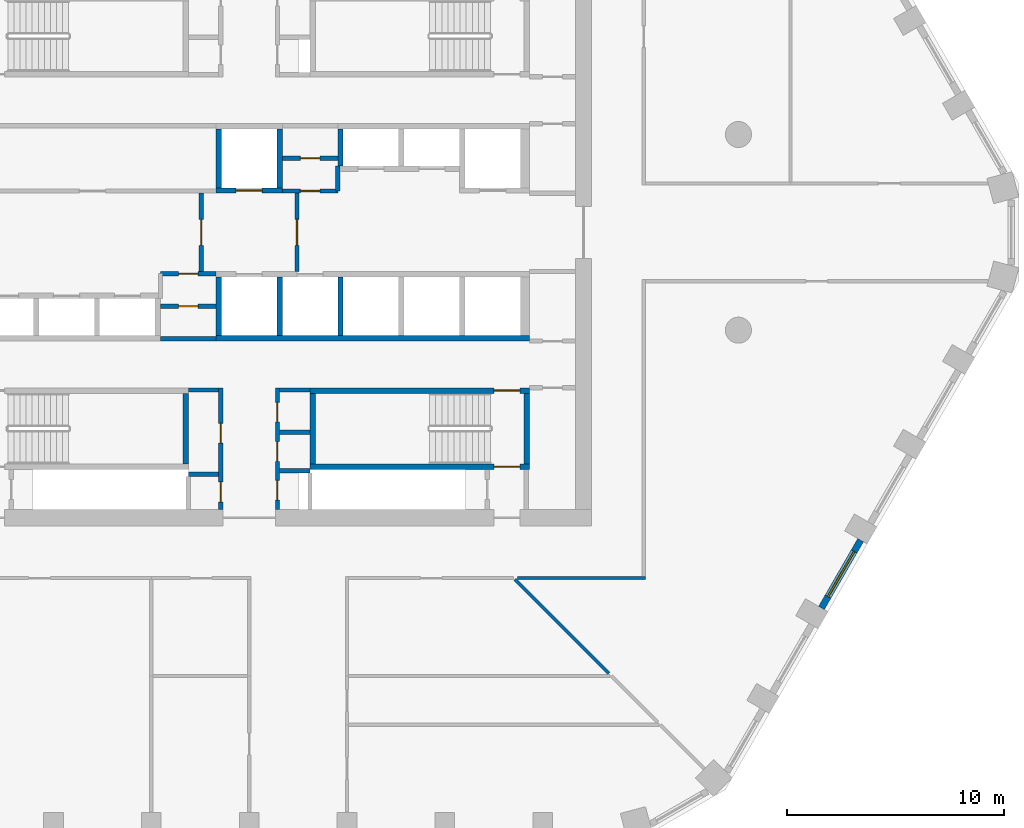
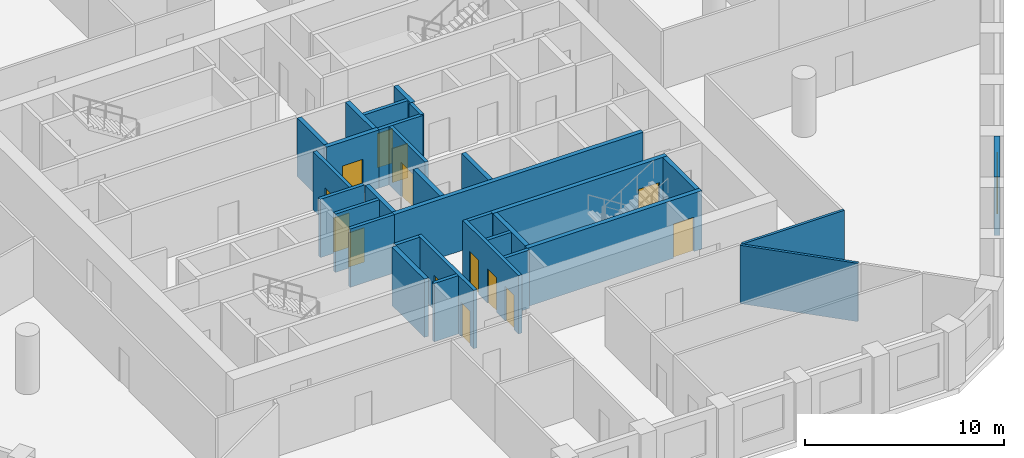
# One storey, part 4 of 9: 31 walls, 14 doors, 1 window, 15 openings.
"""IFC4 building model written with IfcOpenShell, lengths in metres."""

import ifcopenshell
import ifcopenshell.guid

model = None  # the IFC model being written
_history = None  # IfcOwnerHistory: only IFC2X3 demands one
_inside = {}  # id of a spatial element -> (the spatial element, [elements in it])
_under = {}  # id of a project, library or spatial element -> (it, [spatial elements below it])
_declared = {}  # id of a project -> (the project, [libraries it declares])
_typed = {}  # id of a type object -> (the type object, [elements of that type])
_made_of = {}  # id of a material, layer set ... -> (it, [elements and type objects made of it])


def new_model(schema):
    """Start an empty IFC model of exactly this schema.

    Asked for "IFC4X3", IfcOpenShell would pick the latest addendum, in which some entities
    have other attributes; the version numbers below select the first issue.
    IFC2X3 requires an IfcOwnerHistory on every rooted entity: one is made here for all.
    """
    global model, _history
    if schema == "IFC4X3":
        model = ifcopenshell.file(schema_version=(4, 3, 0, 0))
    else:
        model = ifcopenshell.file(schema=schema)
    _inside.clear()
    _under.clear()
    _declared.clear()
    _typed.clear()
    _made_of.clear()
    _history = None
    if model.schema == "IFC2X3":
        org = make("IfcOrganization", Name="unknown")
        user = make(
            "IfcPersonAndOrganization",
            ThePerson=make("IfcPerson", FamilyName="unknown"),
            TheOrganization=org,
        )
        app = make(
            "IfcApplication",
            ApplicationDeveloper=org,
            Version="unknown",
            ApplicationFullName="unknown",
            ApplicationIdentifier="unknown",
        )
        _history = make(
            "IfcOwnerHistory",
            OwningUser=user,
            OwningApplication=app,
            ChangeAction="ADDED",
            CreationDate=0,
        )
    return model


def make(cls, **values):
    """One entity of the class cls with the attributes given. An attribute that is None is left unset."""
    return model.create_entity(
        cls, **{name: value for name, value in values.items() if value is not None}
    )


def rooted(cls, **values):
    """An entity with a GlobalId (a new one), such as an element, a storey or a relation."""
    return make(cls, GlobalId=ifcopenshell.guid.new(), OwnerHistory=_history, **values)


def si_unit(unit_type, name, prefix=None):
    """IfcSIUnit, for example si_unit("LENGTHUNIT", "METRE", prefix="MILLI")."""
    return make("IfcSIUnit", UnitType=unit_type, Prefix=prefix, Name=name)


def assignment(units):
    """IfcUnitAssignment: the units of a project."""
    return None if units is None else make("IfcUnitAssignment", Units=units)


def point(xyz):
    """IfcCartesianPoint."""
    return None if xyz is None else make("IfcCartesianPoint", Coordinates=xyz)


def direction(xyz):
    """IfcDirection."""
    return None if xyz is None else make("IfcDirection", DirectionRatios=xyz)


def frame(location, z_axis=None, x_axis=None):
    """IfcAxis2Placement3D, a coordinate frame: its origin and axes. An axis left out is left unset."""
    return make(
        "IfcAxis2Placement3D",
        Location=point(location),
        Axis=direction(z_axis),
        RefDirection=direction(x_axis),
    )


def frame_2d(location, x_axis=None):
    """IfcAxis2Placement2D, a coordinate frame in the plane: its origin and x axis."""
    return make(
        "IfcAxis2Placement2D", Location=point(location), RefDirection=direction(x_axis)
    )


def origin():
    """The frame at (0, 0, 0) with its axes left unset."""
    return frame((0.0, 0.0, 0.0))


def place(relative_to, where):
    """IfcLocalPlacement: puts the frame where relative to a parent placement (None: the world)."""
    return make(
        "IfcLocalPlacement", PlacementRelTo=relative_to, RelativePlacement=where
    )


def context(
    kind, dimensions, precision=None, world=None, true_north=None, identifier=None
):
    """IfcGeometricRepresentationContext, for example the 3D "Model" context."""
    return make(
        "IfcGeometricRepresentationContext",
        ContextIdentifier=identifier,
        ContextType=kind,
        CoordinateSpaceDimension=dimensions,
        Precision=precision,
        WorldCoordinateSystem=world,
        TrueNorth=true_north,
    )


def subcontext(parent, identifier, kind, view, scale=None):
    """IfcGeometricRepresentationSubContext, for example "Body" below "Model"."""
    return make(
        "IfcGeometricRepresentationSubContext",
        ContextIdentifier=identifier,
        ContextType=kind,
        ParentContext=parent,
        TargetScale=scale,
        TargetView=view,
    )


def project(units=None, contexts=None):
    """IfcProject with its units and contexts."""
    return rooted(
        "IfcProject",
        Name="project",
        RepresentationContexts=contexts,
        UnitsInContext=assignment(units),
    )


def spatial(cls, under=None, at=None, **own):
    """A site, building, storey or space (cls), placed at a placement, below another one or the project."""
    s = rooted(cls, ObjectPlacement=at, **own)
    if under is not None:
        _under.setdefault(under.id(), (under, []))[1].append(s)
    return s


def polyline(points):
    """IfcPolyline through the points."""
    return make("IfcPolyline", Points=[point(p) for p in points])


def profile(cls, at=None, kind="AREA", **sizes):
    """A parametric profile (cls). Its sizes go by their IFC names, for example OverallWidth=200.0."""
    return make(cls, ProfileType=kind, Position=at, **sizes)


def rectangle(**sizes):
    """IfcRectangleProfileDef."""
    return profile("IfcRectangleProfileDef", **sizes)


def outline(outer, holes=None, kind="AREA"):
    """IfcArbitraryClosedProfileDef: a profile drawn as a closed curve; with holes, ...WithVoids."""
    if holes is None:
        return make("IfcArbitraryClosedProfileDef", ProfileType=kind, OuterCurve=outer)
    return make(
        "IfcArbitraryProfileDefWithVoids",
        ProfileType=kind,
        OuterCurve=outer,
        InnerCurves=holes,
    )


def extrude(swept, where, along, depth):
    """IfcExtrudedAreaSolid: the profile swept, set in the frame where, extruded along a direction by depth."""
    return make(
        "IfcExtrudedAreaSolid",
        SweptArea=swept,
        Position=where,
        ExtrudedDirection=direction(along),
        Depth=depth,
    )


def shape(context_of_items, identifier, shape_type, items):
    """IfcShapeRepresentation: the items that make up one representation, for example the "Body"."""
    return make(
        "IfcShapeRepresentation",
        ContextOfItems=context_of_items,
        RepresentationIdentifier=identifier,
        RepresentationType=shape_type,
        Items=items,
    )


def material(Name=None, Category=None):
    """IfcMaterial."""
    return make("IfcMaterial", Name=Name, Category=Category)


def layer(
    of_material, thickness, ventilated=None, Name=None, Category=None, Priority=None
):
    """IfcMaterialLayer: one layer of a wall or slab, of a material (None: an air gap)."""
    return make(
        "IfcMaterialLayer",
        Material=of_material,
        LayerThickness=thickness,
        IsVentilated=ventilated,
        Name=Name,
        Category=Category,
        Priority=Priority,
    )


def layer_set(layers, Name=None):
    """IfcMaterialLayerSet."""
    return make("IfcMaterialLayerSet", MaterialLayers=layers, LayerSetName=Name)


def made_of(thing, what):
    """Note that an element or type object is made of a material, layer set ...; save() writes the relation."""
    if what is not None:
        _made_of.setdefault(what.id(), (what, []))[1].append(thing)
    return thing


def type_object(cls, material=None, **own):
    """A type object (cls), such as IfcWallType, which elements share."""
    return made_of(rooted(cls, **own), material)


def element(
    cls,
    number,
    at=None,
    inside=None,
    cuts=None,
    type_object=None,
    material=None,
    context=None,
    identifier="Body",
    shape_type=None,
    held_by="IfcProductDefinitionShape",
    body=None,
    shapes=None,
    **own,
):
    """One element of the class cls, such as IfcWall. Its Tag is "e" and its number.

    at: its placement. inside: the storey or other place that contains it. cuts: it is an
    opening in that element (IfcRelVoidsElement). A single representation is given by context,
    identifier, shape_type and body (its items); several are given by shapes. held_by: the class
    of the entity that holds the representations. save() writes the other relations.
    """
    e = rooted(cls, Tag="e%d" % number, ObjectPlacement=at, **own)
    if body is not None:
        shapes = [shape(context, identifier, shape_type, body)]
    if shapes is not None:
        e.Representation = make(held_by, Representations=shapes)
    if inside is not None:
        _inside.setdefault(inside.id(), (inside, []))[1].append(e)
    if cuts is not None:
        rooted(
            "IfcRelVoidsElement", RelatingBuildingElement=cuts, RelatedOpeningElement=e
        )
    if type_object is not None:
        _typed.setdefault(type_object.id(), (type_object, []))[1].append(e)
    return made_of(e, material)


def fill(opening, filler):
    """IfcRelFillsElement: the door or window that sits in an opening."""
    return rooted(
        "IfcRelFillsElement",
        RelatingOpeningElement=opening,
        RelatedBuildingElement=filler,
    )


def aggregate(whole, parts):
    """IfcRelAggregates: a whole, such as a stair, and the parts it consists of."""
    return rooted("IfcRelAggregates", RelatingObject=whole, RelatedObjects=parts)


def save(model, path):
    """Write the relations noted so far, then the file.

    IfcRelAggregates (storeys below a building ...), IfcRelContainedInSpatialStructure (elements
    in a storey), IfcRelDefinesByType, IfcRelAssociatesMaterial and IfcRelDeclares: one each for
    every whole, place, type object, material and project.
    """
    for whole, parts in _under.values():
        aggregate(whole, parts)
    for where, things in _inside.values():
        rooted(
            "IfcRelContainedInSpatialStructure",
            RelatedElements=things,
            RelatingStructure=where,
        )
    for kind, things in _typed.values():
        rooted("IfcRelDefinesByType", RelatedObjects=things, RelatingType=kind)
    for what, things in _made_of.values():
        rooted("IfcRelAssociatesMaterial", RelatedObjects=things, RelatingMaterial=what)
    for by, libraries in _declared.values():
        rooted("IfcRelDeclares", RelatingContext=by, RelatedDefinitions=libraries)
    model.write(path)


model = new_model("IFC4")

# Units and contexts
model_context = context("Model", 3, precision=1e-05, world=origin(), true_north=direction((0.0, 1.0)))
body_context = subcontext(model_context, "Body", "Model", "MODEL_VIEW")
ifc_project = project(units=[si_unit("LENGTHUNIT", "METRE"), si_unit("AREAUNIT", "SQUARE_METRE"), si_unit("VOLUMEUNIT", "CUBIC_METRE"), si_unit("PLANEANGLEUNIT", "RADIAN"), si_unit("MASSUNIT", "GRAM", prefix="KILO")], contexts=[model_context])

# Site, building, storey
site_placement = place(None, origin())
site = spatial("IfcSite", under=ifc_project, at=site_placement, CompositionType="ELEMENT")
building_placement = place(site_placement, origin())
building = spatial("IfcBuilding", under=site, at=building_placement, Name="Dhurran Vertical Campus", CompositionType="ELEMENT")
storey_placement = place(building_placement, frame((0.0, 0.0, 171.60009765625)))
storey = spatial("IfcBuildingStorey", under=building, at=storey_placement, Name="L42", CompositionType="ELEMENT", Elevation=171.60009765625)

# Wall, opening, window
ifc_material_1 = material(Name="Precast concrete C50/60", Category="concrete")
ifc_layer_1 = layer(ifc_material_1, 0.300048828125)
ifc_layer_set_1 = layer_set([ifc_layer_1], Name="Precast concrete C50/60")
wall_type_1 = type_object("IfcWallType", Name="Precast spandrel wall 300", PredefinedType="SOLIDWALL", material=ifc_layer_set_1)
wall_1_placement = place(storey_placement, frame((26.3193359375, -17.273193359375, 0.0), z_axis=(0.0, 0.0, 1.0), x_axis=(0.500027802648, 0.866009351323, 0.0)))
wall_1 = element("IfcWall", 1, at=wall_1_placement, inside=storey, type_object=wall_type_1, Name="EW1 L42.11", PredefinedType="SOLIDWALL", context=body_context, shape_type="SweptSolid", body=[
    extrude(rectangle(XDim=3.598876953125, YDim=0.300048828125, at=frame_2d((1.79931640625, 0.0))), origin(), (0.0, 0.0, 1.0), 3.574951171875),
])
opening_1_placement = place(wall_1_placement, frame((0.599609375, 0.0, 0.89990234375)))
opening_1 = element("IfcOpeningElement", 2, at=opening_1_placement, cuts=wall_1, Name="Opening WT1", PredefinedType="OPENING", context=body_context, shape_type="SweptSolid", body=[
    extrude(rectangle(XDim=2.39990234375, YDim=2.10009765625, at=frame_2d((1.199951171875, 1.050048828125))), frame((0.0, 0.159912109375, 0.0), z_axis=(0.0, -1.0, 0.0), x_axis=(1.0, 0.0, 0.0)), (0.0, 0.0, 1.0), 0.320068359375),
])
ifc_material_2 = material(Name="Aluminium frame with solar-control glass", Category="aluminium")
window_type = type_object("IfcWindowType", Name="Punched window 2400 x 2100", PartitioningType="SINGLE_PANEL", PredefinedType="WINDOW", material=ifc_material_2)
window_placement = place(opening_1_placement, origin())
window = element("IfcWindow", 3, at=window_placement, inside=storey, type_object=window_type, Name="WT1 L42.11", OverallHeight=2.10009765625, OverallWidth=2.39990234375, PartitioningType="SINGLE_PANEL", PredefinedType="WINDOW", context=body_context, shape_type="SweptSolid", body=[
    extrude(rectangle(XDim=2.39990234375, YDim=2.10009765625, at=frame_2d((1.199951171875, 1.050048828125))), frame((0.0, 0.030029296875, 0.0), z_axis=(0.0, -1.0, 0.0), x_axis=(1.0, 0.0, 0.0)), (0.0, 0.0, 1.0), 0.06005859375),
])
fill(opening_1, window)

# Wall, opening, door
ifc_material_3 = material(Name="Fire-rated masonry blockwork", Category="masonry")
ifc_layer_2 = layer(ifc_material_3, 0.199951171875)
ifc_layer_set_2 = layer_set([ifc_layer_2], Name="Fire-rated masonry blockwork")
wall_type_2 = type_object("IfcWallType", Name="co-FIRE-PARTITION-200", PredefinedType="PARTITIONING", material=ifc_layer_set_2)
wall_2_placement = place(storey_placement, frame((-2.199951171875, -1.800048828125, 0.0), z_axis=(0.0, 0.0, 1.0), x_axis=(0.0, 1.0, 0.0)))
wall_2 = element("IfcWall", 4, at=wall_2_placement, inside=storey, type_object=wall_type_2, Name="Firefighting lobby wall W L42", PredefinedType="PARTITIONING", context=body_context, shape_type="SweptSolid", body=[
    extrude(rectangle(XDim=3.60009765625, YDim=0.199951171875, at=frame_2d((1.800048828125, 0.0))), origin(), (0.0, 0.0, 1.0), 3.574951171875),
])
opening_2_placement = place(wall_2_placement, frame((1.199951171875, 0.0, 0.0)))
opening_2 = element("IfcOpeningElement", 5, at=opening_2_placement, cuts=wall_2, Name="Opening FL1", PredefinedType="OPENING", context=body_context, shape_type="SweptSolid", body=[
    extrude(rectangle(XDim=1.199951171875, YDim=2.10009765625, at=frame_2d((0.60009765625, 1.050048828125))), frame((0.0, 0.10986328125, 0.0), z_axis=(0.0, -1.0, 0.0), x_axis=(1.0, 0.0, 0.0)), (0.0, 0.0, 1.0), 0.219970703125),
])
ifc_material_4 = material(Name="Fire-rated steel door set", Category="steel")
door_type_1 = type_object("IfcDoorType", Name="co-D-FFLOBBY 1200x2100", OperationType="SINGLE_SWING_LEFT", PredefinedType="DOOR", material=ifc_material_4)
door_1_placement = place(opening_2_placement, origin())
door_1 = element("IfcDoor", 6, at=door_1_placement, inside=storey, type_object=door_type_1, Name="Firefighting lobby door W L42", OperationType="SINGLE_SWING_LEFT", OverallHeight=2.10009765625, OverallWidth=1.199951171875, PredefinedType="DOOR", context=body_context, shape_type="SweptSolid", body=[
    extrude(rectangle(XDim=1.199951171875, YDim=2.10009765625, at=frame_2d((0.60009765625, 1.050048828125))), frame((0.0, 0.02490234375, 0.0), z_axis=(0.0, -1.0, 0.0), x_axis=(1.0, 0.0, 0.0)), (0.0, 0.0, 1.0), 0.050048828125),
])
fill(opening_2, door_1)

wall_3_placement = place(storey_placement, frame((2.199951171875, -1.800048828125, 0.0), z_axis=(0.0, 0.0, 1.0), x_axis=(0.0, 1.0, 0.0)))
wall_3 = element("IfcWall", 7, at=wall_3_placement, inside=storey, type_object=wall_type_2, Name="Firefighting lobby wall E L42", PredefinedType="PARTITIONING", context=body_context, shape_type="SweptSolid", body=[
    extrude(rectangle(XDim=3.60009765625, YDim=0.199951171875, at=frame_2d((1.800048828125, 0.0))), origin(), (0.0, 0.0, 1.0), 3.574951171875),
])
opening_3_placement = place(wall_3_placement, frame((1.199951171875, 0.0, 0.0)))
opening_3 = element("IfcOpeningElement", 8, at=opening_3_placement, cuts=wall_3, Name="Opening FL2", PredefinedType="OPENING", context=body_context, shape_type="SweptSolid", body=[
    extrude(rectangle(XDim=1.199951171875, YDim=2.10009765625, at=frame_2d((0.60009765625, 1.050048828125))), frame((0.0, 0.10986328125, 0.0), z_axis=(0.0, -1.0, 0.0), x_axis=(1.0, 0.0, 0.0)), (0.0, 0.0, 1.0), 0.219970703125),
])
door_2_placement = place(opening_3_placement, origin())
door_2 = element("IfcDoor", 9, at=door_2_placement, inside=storey, type_object=door_type_1, Name="Firefighting lobby door E L42", OperationType="SINGLE_SWING_LEFT", OverallHeight=2.10009765625, OverallWidth=1.199951171875, PredefinedType="DOOR", context=body_context, shape_type="SweptSolid", body=[
    extrude(rectangle(XDim=1.199951171875, YDim=2.10009765625, at=frame_2d((0.60009765625, 1.050048828125))), frame((0.0, 0.02490234375, 0.0), z_axis=(0.0, -1.0, 0.0), x_axis=(1.0, 0.0, 0.0)), (0.0, 0.0, 1.0), 0.050048828125),
])
fill(opening_3, door_2)

# Walls
for number, where, z_axis, x_axis, name in (
    (10, (-2.800048828125, -7.25, 0.0), (0.0, 0.0, 1.0), (1.0, 0.0, 0.0), "Core partition sl-SW-S L42"),
    (11, (-2.800048828125, -11.1298828125, 0.0), (0.0, 0.0, 1.0), (1.0, 0.0, 0.0), "Core partition sl-SW-cut0 L42"),
    (12, (1.39990234375, -7.25, 0.0), (0.0, 0.0, 1.0), (1.0, 0.0, 0.0), "Core partition sl-SE-S L42"),
    (13, (1.39990234375, -9.18603515625, 0.0), (0.0, 0.0, 1.0), (1.0, 0.0, 0.0), "Core partition sl-SE-cut0 L42"),
    (14, (1.39990234375, -10.968017578125, 0.0), (0.0, 0.0, 1.0), (1.0, 0.0, 0.0), "Core partition sl-SE-cut1 L42"),
):
    element("IfcWall", number, at=place(storey_placement, frame(where, z_axis=z_axis, x_axis=x_axis)), inside=storey, type_object=wall_type_2, Name=name, PredefinedType="PARTITIONING", context=body_context, shape_type="SweptSolid", body=[
        extrude(rectangle(XDim=1.400146484375, YDim=0.199951171875, at=frame_2d((0.7001953125, 0.0))), origin(), (0.0, 0.0, 1.0), 3.574951171875),
    ])

# Wall, openings, doors
wall_4_placement = place(storey_placement, frame((-1.300048828125, -12.75, 0.0), z_axis=(0.0, 0.0, 1.0), x_axis=(0.0, 1.0, 0.0)))
wall_4 = element("IfcWall", 15, at=wall_4_placement, inside=storey, type_object=wall_type_2, Name="Core partition vest-SW L42", PredefinedType="PARTITIONING", context=body_context, shape_type="SweptSolid", body=[
    extrude(rectangle(XDim=5.60009765625, YDim=0.199951171875, at=frame_2d((2.800048828125, 0.0))), origin(), (0.0, 0.0, 1.0), 3.574951171875),
])
opening_4_placement = place(wall_4_placement, frame((0.360107421875, 0.0, 0.0)))
opening_4 = element("IfcOpeningElement", 16, at=opening_4_placement, cuts=wall_4, Name="Opening T12-C1", PredefinedType="OPENING", context=body_context, shape_type="SweptSolid", body=[
    extrude(rectangle(XDim=0.89990234375, YDim=2.10009765625, at=frame_2d((0.449951171875, 1.050048828125))), frame((0.0, 0.10986328125, 0.0), z_axis=(0.0, -1.0, 0.0), x_axis=(1.0, 0.0, 0.0)), (0.0, 0.0, 1.0), 0.219970703125),
])
opening_5_placement = place(wall_4_placement, frame((3.06005859375, 0.0, 0.0)))
opening_5 = element("IfcOpeningElement", 17, at=opening_5_placement, cuts=wall_4, Name="Opening T12-C2", PredefinedType="OPENING", context=body_context, shape_type="SweptSolid", body=[
    extrude(rectangle(XDim=0.89990234375, YDim=2.10009765625, at=frame_2d((0.449951171875, 1.050048828125))), frame((0.0, 0.10986328125, 0.0), z_axis=(0.0, -1.0, 0.0), x_axis=(1.0, 0.0, 0.0)), (0.0, 0.0, 1.0), 0.219970703125),
])
ifc_material_5 = material(Name="Fire-rated timber door set", Category="wood")
door_type_2 = type_object("IfcDoorType", Name="co-D-ROOM 900x2100", OperationType="SINGLE_SWING_LEFT", PredefinedType="DOOR", material=ifc_material_5)
door_3_placement = place(opening_4_placement, origin())
door_3 = element("IfcDoor", 18, at=door_3_placement, inside=storey, type_object=door_type_2, Name="Print room door L42", OperationType="SINGLE_SWING_LEFT", OverallHeight=2.10009765625, OverallWidth=0.89990234375, PredefinedType="DOOR", context=body_context, shape_type="SweptSolid", body=[
    extrude(rectangle(XDim=0.89990234375, YDim=2.10009765625, at=frame_2d((0.449951171875, 1.050048828125))), frame((0.0, 0.02490234375, 0.0), z_axis=(0.0, -1.0, 0.0), x_axis=(1.0, 0.0, 0.0)), (0.0, 0.0, 1.0), 0.050048828125),
])
fill(opening_4, door_3)
door_4_placement = place(opening_5_placement, origin())
door_4 = element("IfcDoor", 19, at=door_4_placement, inside=storey, type_object=door_type_2, Name="Communications room door L42", OperationType="SINGLE_SWING_LEFT", OverallHeight=2.10009765625, OverallWidth=0.89990234375, PredefinedType="DOOR", context=body_context, shape_type="SweptSolid", body=[
    extrude(rectangle(XDim=0.89990234375, YDim=2.10009765625, at=frame_2d((0.449951171875, 1.050048828125))), frame((0.0, 0.02490234375, 0.0), z_axis=(0.0, -1.0, 0.0), x_axis=(1.0, 0.0, 0.0)), (0.0, 0.0, 1.0), 0.050048828125),
])
fill(opening_5, door_4)

wall_5_placement = place(storey_placement, frame((1.300048828125, -12.75, 0.0), z_axis=(0.0, 0.0, 1.0), x_axis=(0.0, 1.0, 0.0)))
wall_5 = element("IfcWall", 20, at=wall_5_placement, inside=storey, type_object=wall_type_2, Name="Core partition vest-SE L42", PredefinedType="PARTITIONING", context=body_context, shape_type="SweptSolid", body=[
    extrude(rectangle(XDim=5.60009765625, YDim=0.199951171875, at=frame_2d((2.800048828125, 0.0))), origin(), (0.0, 0.0, 1.0), 3.574951171875),
])
opening_6_placement = place(wall_5_placement, frame((0.44091796875, 0.0, 0.0)))
opening_6 = element("IfcOpeningElement", 21, at=opening_6_placement, cuts=wall_5, Name="Opening T12-C3", PredefinedType="OPENING", context=body_context, shape_type="SweptSolid", body=[
    extrude(rectangle(XDim=0.89990234375, YDim=2.10009765625, at=frame_2d((0.449951171875, 1.050048828125))), frame((0.0, 0.10986328125, 0.0), z_axis=(0.0, -1.0, 0.0), x_axis=(1.0, 0.0, 0.0)), (0.0, 0.0, 1.0), 0.219970703125),
])
opening_7_placement = place(wall_5_placement, frame((2.222900390625, 0.0, 0.0)))
opening_7 = element("IfcOpeningElement", 22, at=opening_7_placement, cuts=wall_5, Name="Opening T12-C4", PredefinedType="OPENING", context=body_context, shape_type="SweptSolid", body=[
    extrude(rectangle(XDim=0.89990234375, YDim=2.10009765625, at=frame_2d((0.449951171875, 1.050048828125))), frame((0.0, 0.10986328125, 0.0), z_axis=(0.0, -1.0, 0.0), x_axis=(1.0, 0.0, 0.0)), (0.0, 0.0, 1.0), 0.219970703125),
])
opening_8_placement = place(wall_5_placement, frame((4.031982421875, 0.0, 0.0)))
opening_8 = element("IfcOpeningElement", 23, at=opening_8_placement, cuts=wall_5, Name="Opening T12-C5", PredefinedType="OPENING", context=body_context, shape_type="SweptSolid", body=[
    extrude(rectangle(XDim=0.89990234375, YDim=2.10009765625, at=frame_2d((0.449951171875, 1.050048828125))), frame((0.0, 0.10986328125, 0.0), z_axis=(0.0, -1.0, 0.0), x_axis=(1.0, 0.0, 0.0)), (0.0, 0.0, 1.0), 0.219970703125),
])
door_5_placement = place(opening_6_placement, origin())
door_5 = element("IfcDoor", 24, at=door_5_placement, inside=storey, type_object=door_type_2, Name="Electrical riser door L42", OperationType="SINGLE_SWING_LEFT", OverallHeight=2.10009765625, OverallWidth=0.89990234375, PredefinedType="DOOR", context=body_context, shape_type="SweptSolid", body=[
    extrude(rectangle(XDim=0.89990234375, YDim=2.10009765625, at=frame_2d((0.449951171875, 1.050048828125))), frame((0.0, 0.02490234375, 0.0), z_axis=(0.0, -1.0, 0.0), x_axis=(1.0, 0.0, 0.0)), (0.0, 0.0, 1.0), 0.050048828125),
])
fill(opening_6, door_5)
door_6_placement = place(opening_7_placement, origin())
door_6 = element("IfcDoor", 25, at=door_6_placement, inside=storey, type_object=door_type_2, Name="Fire equipment store door L42", OperationType="SINGLE_SWING_LEFT", OverallHeight=2.10009765625, OverallWidth=0.89990234375, PredefinedType="DOOR", context=body_context, shape_type="SweptSolid", body=[
    extrude(rectangle(XDim=0.89990234375, YDim=2.10009765625, at=frame_2d((0.449951171875, 1.050048828125))), frame((0.0, 0.02490234375, 0.0), z_axis=(0.0, -1.0, 0.0), x_axis=(1.0, 0.0, 0.0)), (0.0, 0.0, 1.0), 0.050048828125),
])
fill(opening_7, door_6)
door_7_placement = place(opening_8_placement, origin())
door_7 = element("IfcDoor", 26, at=door_7_placement, inside=storey, type_object=door_type_2, Name="Cleaner's store door L42", OperationType="SINGLE_SWING_LEFT", OverallHeight=2.10009765625, OverallWidth=0.89990234375, PredefinedType="DOOR", context=body_context, shape_type="SweptSolid", body=[
    extrude(rectangle(XDim=0.89990234375, YDim=2.10009765625, at=frame_2d((0.449951171875, 1.050048828125))), frame((0.0, 0.02490234375, 0.0), z_axis=(0.0, -1.0, 0.0), x_axis=(1.0, 0.0, 0.0)), (0.0, 0.0, 1.0), 0.050048828125),
])
fill(opening_8, door_7)

# Wall, opening, door
wall_6_placement = place(storey_placement, frame((1.52490234375, 3.39990234375, 0.0), z_axis=(0.0, 0.0, 1.0), x_axis=(1.0, 0.0, 0.0)))
wall_6 = element("IfcWall", 27, at=wall_6_placement, inside=storey, type_object=wall_type_2, Name="Core partition fr-N1-c L42", PredefinedType="PARTITIONING", context=body_context, shape_type="SweptSolid", body=[
    extrude(rectangle(XDim=2.550048828125, YDim=0.199951171875, at=frame_2d((1.27490234375, 0.0))), origin(), (0.0, 0.0, 1.0), 3.574951171875),
])
opening_9_placement = place(wall_6_placement, frame((0.824951171875, 0.0, 0.0)))
opening_9 = element("IfcOpeningElement", 28, at=opening_9_placement, cuts=wall_6, Name="Opening T12-C23", PredefinedType="OPENING", context=body_context, shape_type="SweptSolid", body=[
    extrude(rectangle(XDim=0.89990234375, YDim=2.10009765625, at=frame_2d((0.449951171875, 1.050048828125))), frame((0.0, 0.10986328125, 0.0), z_axis=(0.0, -1.0, 0.0), x_axis=(1.0, 0.0, 0.0)), (0.0, 0.0, 1.0), 0.219970703125),
])
door_8_placement = place(opening_9_placement, origin())
door_8 = element("IfcDoor", 29, at=door_8_placement, inside=storey, type_object=door_type_2, Name="Housekeeping store door L42", OperationType="SINGLE_SWING_LEFT", OverallHeight=2.10009765625, OverallWidth=0.89990234375, PredefinedType="DOOR", context=body_context, shape_type="SweptSolid", body=[
    extrude(rectangle(XDim=0.89990234375, YDim=2.10009765625, at=frame_2d((0.449951171875, 1.050048828125))), frame((0.0, 0.02490234375, 0.0), z_axis=(0.0, -1.0, 0.0), x_axis=(1.0, 0.0, 0.0)), (0.0, 0.0, 1.0), 0.050048828125),
])
fill(opening_9, door_8)

wall_7_placement = place(storey_placement, frame((1.52490234375, 1.89990234375, 0.0), z_axis=(0.0, 0.0, 1.0), x_axis=(1.0, 0.0, 0.0)))
wall_7 = element("IfcWall", 30, at=wall_7_placement, inside=storey, type_object=wall_type_2, Name="Core partition fr-N1-f L42", PredefinedType="PARTITIONING", context=body_context, shape_type="SweptSolid", body=[
    extrude(rectangle(XDim=2.550048828125, YDim=0.199951171875, at=frame_2d((1.27490234375, 0.0))), origin(), (0.0, 0.0, 1.0), 3.574951171875),
])
opening_10_placement = place(wall_7_placement, frame((0.824951171875, 0.0, 0.0)))
opening_10 = element("IfcOpeningElement", 31, at=opening_10_placement, cuts=wall_7, Name="Opening T12-C24", PredefinedType="OPENING", context=body_context, shape_type="SweptSolid", body=[
    extrude(rectangle(XDim=0.89990234375, YDim=2.10009765625, at=frame_2d((0.449951171875, 1.050048828125))), frame((0.0, 0.10986328125, 0.0), z_axis=(0.0, -1.0, 0.0), x_axis=(1.0, 0.0, 0.0)), (0.0, 0.0, 1.0), 0.219970703125),
])
door_9_placement = place(opening_10_placement, origin())
door_9 = element("IfcDoor", 32, at=door_9_placement, inside=storey, type_object=door_type_2, Name="Cleaner's store door L42", OperationType="SINGLE_SWING_LEFT", OverallHeight=2.10009765625, OverallWidth=0.89990234375, PredefinedType="DOOR", context=body_context, shape_type="SweptSolid", body=[
    extrude(rectangle(XDim=0.89990234375, YDim=2.10009765625, at=frame_2d((0.449951171875, 1.050048828125))), frame((0.0, 0.02490234375, 0.0), z_axis=(0.0, -1.0, 0.0), x_axis=(1.0, 0.0, 0.0)), (0.0, 0.0, 1.0), 0.050048828125),
])
fill(opening_10, door_9)

# Wall
wall_8_placement = place(storey_placement, frame((4.074951171875, 1.89990234375, 0.0), z_axis=(0.0, 0.0, 1.0), x_axis=(0.0, 1.0, 0.0)))
element("IfcWall", 33, at=wall_8_placement, inside=storey, type_object=wall_type_2, Name="Core partition fr-N1-n1 L42", PredefinedType="PARTITIONING", context=body_context, shape_type="SweptSolid", body=[
    extrude(rectangle(XDim=1.150146484375, YDim=0.199951171875, at=frame_2d((0.5751953125, 0.0))), origin(), (0.0, 0.0, 1.0), 3.574951171875),
])

# Wall, opening, door
wall_9_placement = place(storey_placement, frame((-4.074951171875, -3.39990234375, 0.0), z_axis=(0.0, 0.0, 1.0), x_axis=(1.0, 0.0, 0.0)))
wall_9 = element("IfcWall", 34, at=wall_9_placement, inside=storey, type_object=wall_type_2, Name="Core partition fr-S0-c L42", PredefinedType="PARTITIONING", context=body_context, shape_type="SweptSolid", body=[
    extrude(rectangle(XDim=2.550048828125, YDim=0.199951171875, at=frame_2d((1.27490234375, 0.0))), origin(), (0.0, 0.0, 1.0), 3.574951171875),
])
opening_11_placement = place(wall_9_placement, frame((0.824951171875, 0.0, 0.0)))
opening_11 = element("IfcOpeningElement", 35, at=opening_11_placement, cuts=wall_9, Name="Opening T12-C25", PredefinedType="OPENING", context=body_context, shape_type="SweptSolid", body=[
    extrude(rectangle(XDim=0.89990234375, YDim=2.10009765625, at=frame_2d((0.449951171875, 1.050048828125))), frame((0.0, 0.10986328125, 0.0), z_axis=(0.0, -1.0, 0.0), x_axis=(1.0, 0.0, 0.0)), (0.0, 0.0, 1.0), 0.219970703125),
])
door_10_placement = place(opening_11_placement, origin())
door_10 = element("IfcDoor", 36, at=door_10_placement, inside=storey, type_object=door_type_2, Name="Server room door L42", OperationType="SINGLE_SWING_LEFT", OverallHeight=2.10009765625, OverallWidth=0.89990234375, PredefinedType="DOOR", context=body_context, shape_type="SweptSolid", body=[
    extrude(rectangle(XDim=0.89990234375, YDim=2.10009765625, at=frame_2d((0.449951171875, 1.050048828125))), frame((0.0, 0.02490234375, 0.0), z_axis=(0.0, -1.0, 0.0), x_axis=(1.0, 0.0, 0.0)), (0.0, 0.0, 1.0), 0.050048828125),
])
fill(opening_11, door_10)

wall_10_placement = place(storey_placement, frame((-4.074951171875, -1.89990234375, 0.0), z_axis=(0.0, 0.0, 1.0), x_axis=(1.0, 0.0, 0.0)))
wall_10 = element("IfcWall", 37, at=wall_10_placement, inside=storey, type_object=wall_type_2, Name="Core partition fr-S0-f L42", PredefinedType="PARTITIONING", context=body_context, shape_type="SweptSolid", body=[
    extrude(rectangle(XDim=2.550048828125, YDim=0.199951171875, at=frame_2d((1.27490234375, 0.0))), origin(), (0.0, 0.0, 1.0), 3.574951171875),
])
opening_12_placement = place(wall_10_placement, frame((0.824951171875, 0.0, 0.0)))
opening_12 = element("IfcOpeningElement", 38, at=opening_12_placement, cuts=wall_10, Name="Opening T12-C26", PredefinedType="OPENING", context=body_context, shape_type="SweptSolid", body=[
    extrude(rectangle(XDim=0.89990234375, YDim=2.10009765625, at=frame_2d((0.449951171875, 1.050048828125))), frame((0.0, 0.10986328125, 0.0), z_axis=(0.0, -1.0, 0.0), x_axis=(1.0, 0.0, 0.0)), (0.0, 0.0, 1.0), 0.219970703125),
])
door_11_placement = place(opening_12_placement, origin())
door_11 = element("IfcDoor", 39, at=door_11_placement, inside=storey, type_object=door_type_2, Name="Store door L42", OperationType="SINGLE_SWING_LEFT", OverallHeight=2.10009765625, OverallWidth=0.89990234375, PredefinedType="DOOR", context=body_context, shape_type="SweptSolid", body=[
    extrude(rectangle(XDim=0.89990234375, YDim=2.10009765625, at=frame_2d((0.449951171875, 1.050048828125))), frame((0.0, 0.02490234375, 0.0), z_axis=(0.0, -1.0, 0.0), x_axis=(1.0, 0.0, 0.0)), (0.0, 0.0, 1.0), 0.050048828125),
])
fill(opening_12, door_11)

# Wall
wall_11_placement = place(storey_placement, frame((-4.074951171875, -4.89990234375, 0.0), z_axis=(0.0, 0.0, 1.0), x_axis=(1.0, 0.0, 0.0)))
element("IfcWall", 40, at=wall_11_placement, inside=storey, type_object=wall_type_2, Name="Core partition fr-S0-b L42", PredefinedType="PARTITIONING", context=body_context, shape_type="SweptSolid", body=[
    extrude(rectangle(XDim=2.550048828125, YDim=0.199951171875, at=frame_2d((1.27490234375, 0.0))), origin(), (0.0, 0.0, 1.0), 3.574951171875),
])

# Wall, opening, door
ifc_material_6 = material(Name="Concrete C50/60", Category="concrete")
ifc_layer_3 = layer(ifc_material_6, 0.25)
ifc_layer_set_3 = layer_set([ifc_layer_3], Name="Concrete C50/60")
wall_type_3 = type_object("IfcWallType", Name="co-SHAFT-FRONT-250", PredefinedType="SHEAR", material=ifc_layer_set_3)
wall_12_placement = place(storey_placement, frame((-1.52490234375, 1.925048828125, 0.0), z_axis=(0.0, 0.0, 1.0), x_axis=(1.0, 0.0, 0.0)))
wall_12 = element("IfcWall", 41, at=wall_12_placement, inside=storey, type_object=wall_type_3, Name="Lift landing wall N L42", PredefinedType="SHEAR", context=body_context, shape_type="SweptSolid", body=[
    extrude(rectangle(XDim=3.0498046875, YDim=0.25, at=frame_2d((1.52490234375, 0.0))), origin(), (0.0, 0.0, 1.0), 3.574951171875),
])
opening_13_placement = place(wall_12_placement, frame((0.925048828125, 0.0, 0.0)))
opening_13 = element("IfcOpeningElement", 42, at=opening_13_placement, cuts=wall_12, Name="Opening LD", PredefinedType="OPENING", context=body_context, shape_type="SweptSolid", body=[
    extrude(rectangle(XDim=1.199951171875, YDim=2.10009765625, at=frame_2d((0.60009765625, 1.050048828125))), frame((0.0, 0.135009765625, 0.0), z_axis=(0.0, -1.0, 0.0), x_axis=(1.0, 0.0, 0.0)), (0.0, 0.0, 1.0), 0.27001953125),
])
ifc_material_7 = material(Name="Stainless steel landing door", Category="steel")
door_type_3 = type_object("IfcDoorType", Name="co-D-LANDING 1200x2100", OperationType="DOUBLE_DOOR_SLIDING", PredefinedType="DOOR", material=ifc_material_7)
door_12_placement = place(opening_13_placement, origin())
door_12 = element("IfcDoor", 43, at=door_12_placement, inside=storey, type_object=door_type_3, Name="Landing door FF1 L42", OperationType="DOUBLE_DOOR_SLIDING", OverallHeight=2.10009765625, OverallWidth=1.199951171875, PredefinedType="DOOR", context=body_context, shape_type="SweptSolid", body=[
    extrude(rectangle(XDim=1.199951171875, YDim=2.10009765625, at=frame_2d((0.60009765625, 1.050048828125))), frame((0.0, 0.02490234375, 0.0), z_axis=(0.0, -1.0, 0.0), x_axis=(1.0, 0.0, 0.0)), (0.0, 0.0, 1.0), 0.050048828125),
])
fill(opening_13, door_12)

# Walls
ifc_material_8 = material(Name="Concrete C50/60", Category="concrete")
ifc_layer_4 = layer(ifc_material_8, 0.25)
ifc_layer_set_4 = layer_set([ifc_layer_4], Name="Concrete C50/60")
wall_type_4 = type_object("IfcWallType", Name="co-SHAFT-MASS-250", PredefinedType="SHEAR", material=ifc_layer_set_4)
wall_13_placement = place(storey_placement, origin())
element("IfcWall", 44, at=wall_13_placement, inside=storey, type_object=wall_type_4, Name="Lift shaft wall N L42 3", PredefinedType="SHEAR", context=body_context, shape_type="SweptSolid", body=[
    extrude(outline(polyline([(-1.52490234375, 2.050048828125), (-1.27490234375, 2.050048828125), (-1.27490234375, 4.75), (-1.52490234375, 4.75), (-1.52490234375, 2.050048828125)])), origin(), (0.0, 0.0, 1.0), 3.574951171875),
])
wall_14_placement = place(storey_placement, origin())
element("IfcWall", 45, at=wall_14_placement, inside=storey, type_object=wall_type_4, Name="Lift shaft wall N L42 4", PredefinedType="SHEAR", context=body_context, shape_type="SweptSolid", body=[
    extrude(outline(polyline([(1.27490234375, 2.050048828125), (1.52490234375, 2.050048828125), (1.52490234375, 4.75), (1.27490234375, 4.75), (1.27490234375, 2.050048828125)])), origin(), (0.0, 0.0, 1.0), 3.574951171875),
])
wall_15_placement = place(storey_placement, origin())
element("IfcWall", 46, at=wall_15_placement, inside=storey, type_object=wall_type_4, Name="Lift shaft wall N L42 7", PredefinedType="SHEAR", context=body_context, shape_type="SweptSolid", body=[
    extrude(outline(polyline([(4.074951171875, 3.050048828125), (4.324951171875, 3.050048828125), (4.324951171875, 4.75), (4.074951171875, 4.75), (4.074951171875, 3.050048828125)])), origin(), (0.0, 0.0, 1.0), 3.574951171875),
])
wall_16_placement = place(storey_placement, origin())
element("IfcWall", 47, at=wall_16_placement, inside=storey, type_object=wall_type_4, Name="Lift shaft wall S L42 2", PredefinedType="SHEAR", context=body_context, shape_type="SweptSolid", body=[
    extrude(outline(polyline([(-1.52490234375, -5.0), (12.89990234375, -5.0), (12.89990234375, -4.75), (-1.52490234375, -4.75), (-1.52490234375, -5.0)])), origin(), (0.0, 0.0, 1.0), 3.574951171875),
])
wall_17_placement = place(storey_placement, origin())
element("IfcWall", 48, at=wall_17_placement, inside=storey, type_object=wall_type_4, Name="Lift shaft wall S L42 7", PredefinedType="SHEAR", context=body_context, shape_type="SweptSolid", body=[
    extrude(outline(polyline([(-1.52490234375, -4.75), (-1.27490234375, -4.75), (-1.27490234375, -2.050048828125), (-1.52490234375, -2.050048828125), (-1.52490234375, -4.75)])), origin(), (0.0, 0.0, 1.0), 3.574951171875),
])
wall_18_placement = place(storey_placement, origin())
element("IfcWall", 49, at=wall_18_placement, inside=storey, type_object=wall_type_4, Name="Lift shaft wall S L42 8", PredefinedType="SHEAR", context=body_context, shape_type="SweptSolid", body=[
    extrude(outline(polyline([(1.27490234375, -4.75), (1.52490234375, -4.75), (1.52490234375, -2.050048828125), (1.27490234375, -2.050048828125), (1.27490234375, -4.75)])), origin(), (0.0, 0.0, 1.0), 3.574951171875),
])
wall_19_placement = place(storey_placement, origin())
element("IfcWall", 50, at=wall_19_placement, inside=storey, type_object=wall_type_4, Name="Lift shaft wall S L42 9", PredefinedType="SHEAR", context=body_context, shape_type="SweptSolid", body=[
    extrude(outline(polyline([(4.074951171875, -4.75), (4.324951171875, -4.75), (4.324951171875, -2.050048828125), (4.074951171875, -2.050048828125), (4.074951171875, -4.75)])), origin(), (0.0, 0.0, 1.0), 3.574951171875),
])
ifc_material_9 = material(Name="Concrete C40/50", Category="concrete")
ifc_layer_5 = layer(ifc_material_9, 0.25)
ifc_layer_set_5 = layer_set([ifc_layer_5], Name="Concrete C40/50")
wall_type_5 = type_object("IfcWallType", Name="co-STAIR-WALL-250", PredefinedType="SHEAR", material=ifc_layer_set_5)
wall_20_placement = place(storey_placement, frame((-2.925048828125, -10.64990234375, 0.0), z_axis=(0.0, 0.0, 1.0), x_axis=(0.0, 1.0, 0.0)))
element("IfcWall", 51, at=wall_20_placement, inside=storey, type_object=wall_type_5, Name="Stair ST3 enclosure wall L42", PredefinedType="SHEAR", context=body_context, shape_type="SweptSolid", body=[
    extrude(rectangle(XDim=3.25, YDim=0.25, at=frame_2d((1.625, 0.0))), origin(), (0.0, 0.0, 1.0), 3.574951171875),
])

# Wall, opening, door
wall_21_placement = place(storey_placement, frame((2.800048828125, -10.77490234375, 0.0), z_axis=(0.0, 0.0, 1.0), x_axis=(1.0, 0.0, 0.0)))
wall_21 = element("IfcWall", 52, at=wall_21_placement, inside=storey, type_object=wall_type_5, Name="Stair ST4 enclosure wall L42", PredefinedType="SHEAR", context=body_context, shape_type="SweptSolid", body=[
    extrude(rectangle(XDim=10.099853515625, YDim=0.25, at=frame_2d((5.0498046875, 0.0))), origin(), (0.0, 0.0, 1.0), 3.574951171875),
])
opening_14_placement = place(wall_21_placement, frame((8.449951171875, 0.0, 0.0)))
opening_14 = element("IfcOpeningElement", 53, at=opening_14_placement, cuts=wall_21, Name="Opening XS4", PredefinedType="OPENING", context=body_context, shape_type="SweptSolid", body=[
    extrude(rectangle(XDim=1.199951171875, YDim=2.10009765625, at=frame_2d((0.60009765625, 1.050048828125))), frame((0.0, 0.135009765625, 0.0), z_axis=(0.0, -1.0, 0.0), x_axis=(1.0, 0.0, 0.0)), (0.0, 0.0, 1.0), 0.27001953125),
])
ifc_material_10 = material(Name="Fire-rated steel door set", Category="steel")
door_type_4 = type_object("IfcDoorType", Name="co-D-STAIR-EXIT 1200x2100", OperationType="SINGLE_SWING_RIGHT", PredefinedType="DOOR", material=ifc_material_10)
door_13_placement = place(opening_14_placement, origin())
door_13 = element("IfcDoor", 54, at=door_13_placement, inside=storey, type_object=door_type_4, Name="Stair ST4 discharge door L42", OperationType="SINGLE_SWING_RIGHT", OverallHeight=2.10009765625, OverallWidth=1.199951171875, PredefinedType="DOOR", context=body_context, shape_type="SweptSolid", body=[
    extrude(rectangle(XDim=1.199951171875, YDim=2.10009765625, at=frame_2d((0.60009765625, 1.050048828125))), frame((0.0, 0.02490234375, 0.0), z_axis=(0.0, -1.0, 0.0), x_axis=(1.0, 0.0, 0.0)), (0.0, 0.0, 1.0), 0.050048828125),
])
fill(opening_14, door_13)

wall_22_placement = place(storey_placement, frame((2.800048828125, -7.27490234375, 0.0), z_axis=(0.0, 0.0, 1.0), x_axis=(1.0, 0.0, 0.0)))
wall_22 = element("IfcWall", 55, at=wall_22_placement, inside=storey, type_object=wall_type_5, Name="Stair ST4 enclosure wall L42", PredefinedType="SHEAR", context=body_context, shape_type="SweptSolid", body=[
    extrude(rectangle(XDim=10.099853515625, YDim=0.25, at=frame_2d((5.0498046875, 0.0))), origin(), (0.0, 0.0, 1.0), 3.574951171875),
])
opening_15_placement = place(wall_22_placement, frame((8.449951171875, 0.0, 0.0)))
opening_15 = element("IfcOpeningElement", 56, at=opening_15_placement, cuts=wall_22, Name="Opening SD4", PredefinedType="OPENING", context=body_context, shape_type="SweptSolid", body=[
    extrude(rectangle(XDim=1.199951171875, YDim=2.10009765625, at=frame_2d((0.60009765625, 1.050048828125))), frame((0.0, 0.135009765625, 0.0), z_axis=(0.0, -1.0, 0.0), x_axis=(1.0, 0.0, 0.0)), (0.0, 0.0, 1.0), 0.27001953125),
])
ifc_material_11 = material(Name="Fire-rated steel door set", Category="steel")
door_type_5 = type_object("IfcDoorType", Name="co-D-STAIR 1200x2100", OperationType="SINGLE_SWING_LEFT", PredefinedType="DOOR", material=ifc_material_11)
door_14_placement = place(opening_15_placement, origin())
door_14 = element("IfcDoor", 57, at=door_14_placement, inside=storey, type_object=door_type_5, Name="Stair ST4 door L42", OperationType="SINGLE_SWING_LEFT", OverallHeight=2.10009765625, OverallWidth=1.199951171875, PredefinedType="DOOR", context=body_context, shape_type="SweptSolid", body=[
    extrude(rectangle(XDim=1.199951171875, YDim=2.10009765625, at=frame_2d((0.60009765625, 1.050048828125))), frame((0.0, 0.02490234375, 0.0), z_axis=(0.0, -1.0, 0.0), x_axis=(1.0, 0.0, 0.0)), (0.0, 0.0, 1.0), 0.050048828125),
])
fill(opening_15, door_14)

# Walls
for number, where, z_axis, x_axis, name in (
    (58, (2.925048828125, -10.64990234375, 0.0), (0.0, 0.0, 1.0), (0.0, 1.0, 0.0), "Stair ST4 enclosure wall L42"),
    (59, (12.77490234375, -10.64990234375, 0.0), (0.0, 0.0, 1.0), (0.0, 1.0, 0.0), "Stair ST4 enclosure wall L42"),
):
    element("IfcWall", number, at=place(storey_placement, frame(where, z_axis=z_axis, x_axis=x_axis)), inside=storey, type_object=wall_type_5, Name=name, PredefinedType="SHEAR", context=body_context, shape_type="SweptSolid", body=[
        extrude(rectangle(XDim=3.25, YDim=0.25, at=frame_2d((1.625, 0.0))), origin(), (0.0, 0.0, 1.0), 3.574951171875),
    ])
ifc_material_12 = material(Name="Gypsum board corridor wall on steel studs", Category="steel")
ifc_layer_6 = layer(ifc_material_12, 0.14990234375)
ifc_layer_set_6 = layer_set([ifc_layer_6], Name="Gypsum board corridor wall on steel studs")
wall_type_6 = type_object("IfcWallType", Name="fl-CW-150 corridor wall", PredefinedType="PARTITIONING", material=ifc_layer_set_6)
wall_23_placement = place(storey_placement, frame((12.339111328125, -15.89990234375, 0.0), z_axis=(0.0, 0.0, 1.0), x_axis=(1.0, 0.0, 0.0)))
element("IfcWall", 60, at=wall_23_placement, inside=storey, type_object=wall_type_6, Name="Partition 42-37", PredefinedType="PARTITIONING", context=body_context, shape_type="SweptSolid", body=[
    extrude(rectangle(XDim=5.885986328125, YDim=0.14990234375, at=frame_2d((2.94287109375, 0.0))), origin(), (0.0, 0.0, 1.0), 3.574951171875),
])
ifc_material_13 = material(Name="Gypsum board partition on steel studs", Category="steel")
ifc_layer_7 = layer(ifc_material_13, 0.14990234375)
ifc_layer_set_7 = layer_set([ifc_layer_7], Name="Gypsum board partition on steel studs")
wall_type_7 = type_object("IfcWallType", Name="fl-PW-150 fixed partition", PredefinedType="PARTITIONING", material=ifc_layer_set_7)
wall_24_placement = place(storey_placement, frame((12.217041015625, -15.952880859375, 0.0), z_axis=(0.0, 0.0, 1.0), x_axis=(0.707086815725, -0.707126746085, 0.0)))
element("IfcWall", 61, at=wall_24_placement, inside=storey, type_object=wall_type_7, Name="Partition 42-36", PredefinedType="PARTITIONING", context=body_context, shape_type="SweptSolid", body=[
    extrude(rectangle(XDim=6.1142578125, YDim=0.14990234375, at=frame_2d((3.05712890625, 0.0))), origin(), (0.0, 0.0, 1.0), 3.574951171875),
])

save(model, "model.ifc")
